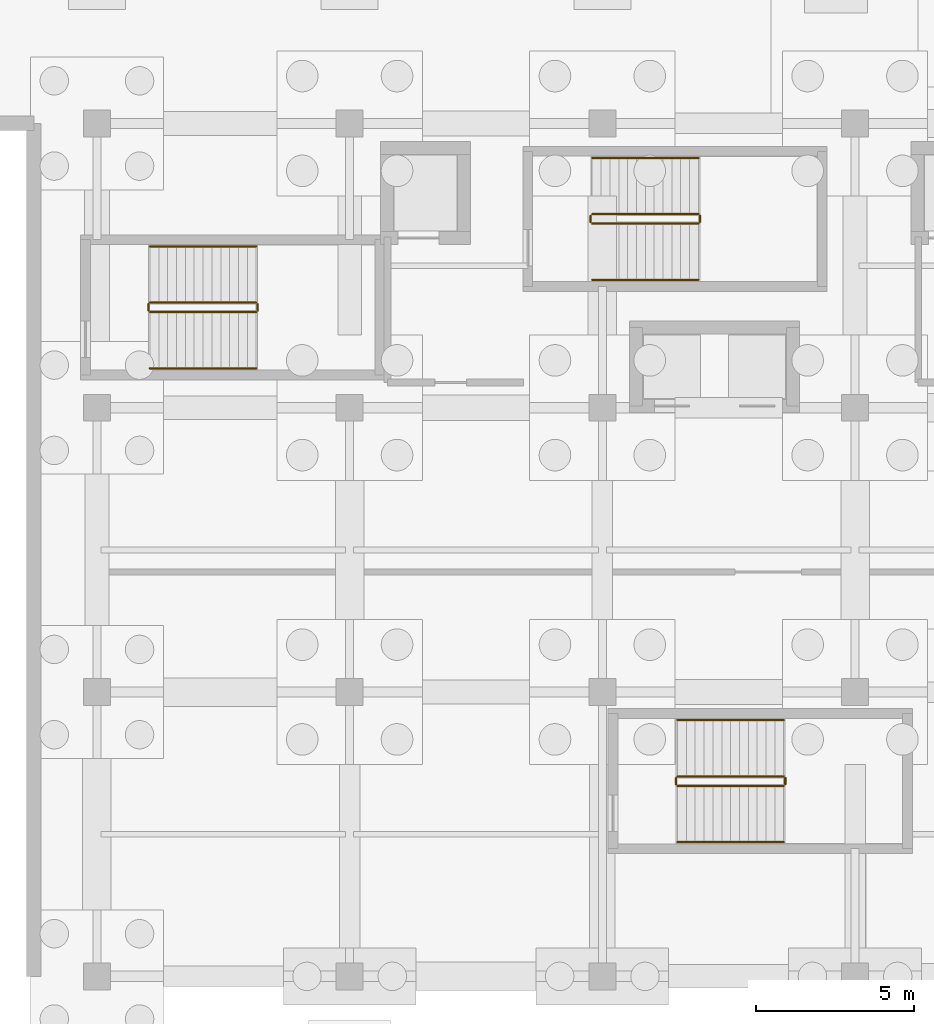
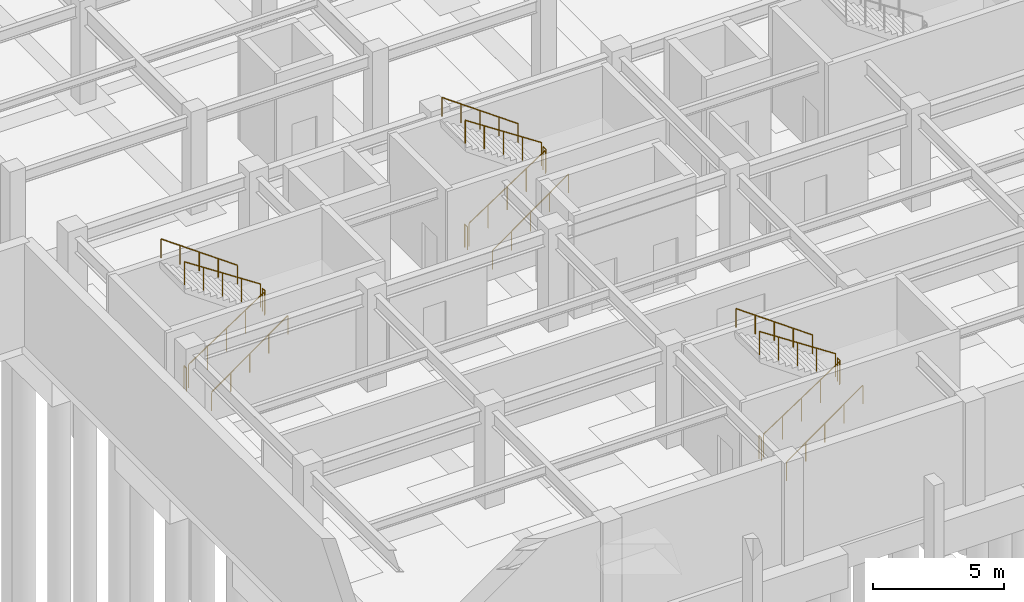
# One storey, part 39 of 48: 18 railings.
"""IFC4 building model written with IfcOpenShell, lengths in metres."""

from ifc_helpers import new_model, si_unit, direction, frame, origin, origin_2d, place, context, subcontext, project, spatial, circle, extrude, material, type_object, element, save


model = new_model("IFC4")

# Units and contexts
model_context = context("Model", 3, precision=1e-05, world=origin(), true_north=direction((0.0, 1.0)))
body_context = subcontext(model_context, "Body", "Model", "MODEL_VIEW")
ifc_project = project(units=[si_unit("LENGTHUNIT", "METRE"), si_unit("AREAUNIT", "SQUARE_METRE"), si_unit("VOLUMEUNIT", "CUBIC_METRE"), si_unit("PLANEANGLEUNIT", "RADIAN"), si_unit("MASSUNIT", "GRAM", prefix="KILO")], contexts=[model_context])

# Site, building, storey
site_placement = place(None, origin())
site = spatial("IfcSite", under=ifc_project, at=site_placement, CompositionType="ELEMENT")
building_placement = place(site_placement, origin())
building = spatial("IfcBuilding", under=site, at=building_placement, Name="Tlacozan Convention Centre", CompositionType="ELEMENT")
storey_placement = place(building_placement, frame((0.0, 0.0, -4.800048828125)))
storey = spatial("IfcBuildingStorey", under=building, at=storey_placement, Name="B01", CompositionType="ELEMENT", Elevation=-4.800048828125)

# Railings
ifc_material = material(Name="Architectural Painted Galvanised Steel Railing", Category="steel")
railing_type_1 = type_object("IfcRailingType", Name="Stair Wall Handrail 900", PredefinedType="HANDRAIL", material=ifc_material)
railing_1_placement = place(storey_placement, frame((23.679931640625, 22.050048828125, 0.1845703125)))
element("IfcRailing", 1, at=railing_1_placement, inside=storey, type_object=railing_type_1, Name="B01 ST-01 stair handrail 1", PredefinedType="HANDRAIL", context=body_context, shape_type="SweptSolid", body=[
    extrude(circle(Radius=0.02392578125, at=origin_2d()), frame((0.0, 0.0, 0.8759765625), z_axis=(0.813725481382, 0.0, 0.581249379312), x_axis=(0.0, 1.0, 0.0)), (0.0, 0.0, 1.0), 4.12939453125),
    extrude(circle(Radius=0.02099609375, at=origin_2d()), origin(), (0.0, 0.0, 1.0), 0.851806640625),
    extrude(circle(Radius=0.02099609375, at=origin_2d()), frame((0.840087890625, 0.0, 0.60009765625)), (0.0, 0.0, 1.0), 0.851806640625),
    extrude(circle(Radius=0.02099609375, at=origin_2d()), frame((1.68017578125, 0.0, 1.2001953125)), (0.0, 0.0, 1.0), 0.851806640625),
    extrude(circle(Radius=0.02099609375, at=origin_2d()), frame((2.52001953125, 0.0, 1.800048828125)), (0.0, 0.0, 1.0), 0.851806640625),
    extrude(circle(Radius=0.02099609375, at=origin_2d()), frame((3.360107421875, 0.0, 2.400146484375)), (0.0, 0.0, 1.0), 0.851806640625),
])
railing_2_placement = place(storey_placement, frame((27.0400390625, 25.909912109375, 2.584716796875)))
element("IfcRailing", 2, at=railing_2_placement, inside=storey, type_object=railing_type_1, Name="B01 ST-01 stair handrail 2", PredefinedType="HANDRAIL", context=body_context, shape_type="SweptSolid", body=[
    extrude(circle(Radius=0.02392578125, at=origin_2d()), frame((0.0, 0.0, 0.8759765625), z_axis=(-0.813753445783, 0.0, 0.581210228297), x_axis=(0.0, -1.0, 0.0)), (0.0, 0.0, 1.0), 4.129150390625),
    extrude(circle(Radius=0.02099609375, at=origin_2d()), origin(), (0.0, 0.0, 1.0), 0.851806640625),
    extrude(circle(Radius=0.02099609375, at=origin_2d()), frame((-0.840087890625, 0.0, 0.60009765625)), (0.0, 0.0, 1.0), 0.851806640625),
    extrude(circle(Radius=0.02099609375, at=origin_2d()), frame((-1.68017578125, 0.0, 1.199951171875)), (0.0, 0.0, 1.0), 0.851806640625),
    extrude(circle(Radius=0.02099609375, at=origin_2d()), frame((-2.52001953125, 0.0, 1.7998046875)), (0.0, 0.0, 1.0), 0.851806640625),
    extrude(circle(Radius=0.02099609375, at=origin_2d()), frame((-3.360107421875, 0.0, 2.39990234375)), (0.0, 0.0, 1.0), 0.851806640625),
])
railing_3_placement = place(storey_placement, frame((9.679931640625, 19.25, 0.1845703125)))
element("IfcRailing", 3, at=railing_3_placement, inside=storey, type_object=railing_type_1, Name="B01 ST-13 stair handrail 1", PredefinedType="HANDRAIL", context=body_context, shape_type="SweptSolid", body=[
    extrude(circle(Radius=0.02392578125, at=origin_2d()), frame((0.0, 0.0, 0.8759765625), z_axis=(0.813725481382, 0.0, 0.581249379312), x_axis=(0.0, 1.0, 0.0)), (0.0, 0.0, 1.0), 4.12939453125),
    extrude(circle(Radius=0.02099609375, at=origin_2d()), origin(), (0.0, 0.0, 1.0), 0.851806640625),
    extrude(circle(Radius=0.02099609375, at=origin_2d()), frame((0.840087890625, 0.0, 0.60009765625)), (0.0, 0.0, 1.0), 0.851806640625),
    extrude(circle(Radius=0.02099609375, at=origin_2d()), frame((1.68017578125, 0.0, 1.2001953125)), (0.0, 0.0, 1.0), 0.851806640625),
    extrude(circle(Radius=0.02099609375, at=origin_2d()), frame((2.52001953125, 0.0, 1.800048828125)), (0.0, 0.0, 1.0), 0.851806640625),
    extrude(circle(Radius=0.02099609375, at=origin_2d()), frame((3.360107421875, 0.0, 2.400146484375)), (0.0, 0.0, 1.0), 0.851806640625),
])
railing_4_placement = place(storey_placement, frame((13.0400390625, 23.110107421875, 2.584716796875)))
element("IfcRailing", 4, at=railing_4_placement, inside=storey, type_object=railing_type_1, Name="B01 ST-13 stair handrail 2", PredefinedType="HANDRAIL", context=body_context, shape_type="SweptSolid", body=[
    extrude(circle(Radius=0.02392578125, at=origin_2d()), frame((0.0, 0.0, 0.8759765625), z_axis=(-0.813753445783, 0.0, 0.581210228297), x_axis=(0.0, -1.0, 0.0)), (0.0, 0.0, 1.0), 4.129150390625),
    extrude(circle(Radius=0.02099609375, at=origin_2d()), origin(), (0.0, 0.0, 1.0), 0.851806640625),
    extrude(circle(Radius=0.02099609375, at=origin_2d()), frame((-0.840087890625, 0.0, 0.60009765625)), (0.0, 0.0, 1.0), 0.851806640625),
    extrude(circle(Radius=0.02099609375, at=origin_2d()), frame((-1.68017578125, 0.0, 1.199951171875)), (0.0, 0.0, 1.0), 0.851806640625),
    extrude(circle(Radius=0.02099609375, at=origin_2d()), frame((-2.52001953125, 0.0, 1.7998046875)), (0.0, 0.0, 1.0), 0.851806640625),
    extrude(circle(Radius=0.02099609375, at=origin_2d()), frame((-3.360107421875, 0.0, 2.39990234375)), (0.0, 0.0, 1.0), 0.851806640625),
])
railing_5_placement = place(storey_placement, frame((26.3798828125, 4.25, 0.1845703125)))
element("IfcRailing", 5, at=railing_5_placement, inside=storey, type_object=railing_type_1, Name="B01 ST-16 stair handrail 1", PredefinedType="HANDRAIL", context=body_context, shape_type="SweptSolid", body=[
    extrude(circle(Radius=0.02392578125, at=origin_2d()), frame((0.0, 0.0, 0.8759765625), z_axis=(0.813725481382, 0.0, 0.581249379312), x_axis=(0.0, 1.0, 0.0)), (0.0, 0.0, 1.0), 4.12939453125),
    extrude(circle(Radius=0.02099609375, at=origin_2d()), origin(), (0.0, 0.0, 1.0), 0.851806640625),
    extrude(circle(Radius=0.02099609375, at=origin_2d()), frame((0.840087890625, 0.0, 0.60009765625)), (0.0, 0.0, 1.0), 0.851806640625),
    extrude(circle(Radius=0.02099609375, at=origin_2d()), frame((1.68017578125, 0.0, 1.2001953125)), (0.0, 0.0, 1.0), 0.851806640625),
    extrude(circle(Radius=0.02099609375, at=origin_2d()), frame((2.52001953125, 0.0, 1.800048828125)), (0.0, 0.0, 1.0), 0.851806640625),
    extrude(circle(Radius=0.02099609375, at=origin_2d()), frame((3.360107421875, 0.0, 2.400146484375)), (0.0, 0.0, 1.0), 0.851806640625),
])
railing_6_placement = place(storey_placement, frame((29.739990234375, 8.110107421875, 2.584716796875)))
element("IfcRailing", 6, at=railing_6_placement, inside=storey, type_object=railing_type_1, Name="B01 ST-16 stair handrail 2", PredefinedType="HANDRAIL", context=body_context, shape_type="SweptSolid", body=[
    extrude(circle(Radius=0.02392578125, at=origin_2d()), frame((0.0, 0.0, 0.8759765625), z_axis=(-0.813753445783, 0.0, 0.581210228297), x_axis=(0.0, -1.0, 0.0)), (0.0, 0.0, 1.0), 4.129150390625),
    extrude(circle(Radius=0.02099609375, at=origin_2d()), origin(), (0.0, 0.0, 1.0), 0.851806640625),
    extrude(circle(Radius=0.02099609375, at=origin_2d()), frame((-0.840087890625, 0.0, 0.60009765625)), (0.0, 0.0, 1.0), 0.851806640625),
    extrude(circle(Radius=0.02099609375, at=origin_2d()), frame((-1.68017578125, 0.0, 1.199951171875)), (0.0, 0.0, 1.0), 0.851806640625),
    extrude(circle(Radius=0.02099609375, at=origin_2d()), frame((-2.52001953125, 0.0, 1.7998046875)), (0.0, 0.0, 1.0), 0.851806640625),
    extrude(circle(Radius=0.02099609375, at=origin_2d()), frame((-3.360107421875, 0.0, 2.39990234375)), (0.0, 0.0, 1.0), 0.851806640625),
])
railing_type_2 = type_object("IfcRailingType", Name="Stair Well Guardrail 1100", PredefinedType="GUARDRAIL", material=ifc_material)
railing_7_placement = place(storey_placement, frame((23.679931640625, 23.830078125, 0.1845703125)))
element("IfcRailing", 7, at=railing_7_placement, inside=storey, type_object=railing_type_2, Name="B01 ST-01 stair guard 1", PredefinedType="GUARDRAIL", context=body_context, shape_type="SweptSolid", body=[
    extrude(circle(Radius=0.02392578125, at=origin_2d()), frame((0.0, 0.0, 1.076171875), z_axis=(0.834848600103, 0.0, 0.550479622607), x_axis=(0.0, 1.0, 0.0)), (0.0, 0.0, 1.0), 4.02490234375),
    extrude(circle(Radius=0.02099609375, at=origin_2d()), origin(), (0.0, 0.0, 1.0), 1.052001953125),
    extrude(circle(Radius=0.02099609375, at=origin_2d()), frame((0.840087890625, 0.0, 0.553955078125)), (0.0, 0.0, 1.0), 1.052001953125),
    extrude(circle(Radius=0.02099609375, at=origin_2d()), frame((1.68017578125, 0.0, 1.10791015625)), (0.0, 0.0, 1.0), 1.052001953125),
    extrude(circle(Radius=0.02099609375, at=origin_2d()), frame((2.52001953125, 0.0, 1.66162109375)), (0.0, 0.0, 1.0), 1.052001953125),
    extrude(circle(Radius=0.02099609375, at=origin_2d()), frame((3.360107421875, 0.0, 2.215576171875)), (0.0, 0.0, 1.0), 1.052001953125),
])
railing_8_placement = place(storey_placement, frame((27.090087890625, 23.8798828125, 2.400146484375)))
element("IfcRailing", 8, at=railing_8_placement, inside=storey, type_object=railing_type_2, Name="B01 ST-01 stair guard 2", PredefinedType="GUARDRAIL", context=body_context, shape_type="SweptSolid", body=[
    extrude(circle(Radius=0.02392578125, at=origin_2d()), frame((0.0, 0.0, 1.076171875), z_axis=(0.0, 1.0, 0.0), x_axis=(-1.0, 0.0, 0.0)), (0.0, 0.0, 1.0), 0.2001953125),
    extrude(circle(Radius=0.02099609375, at=origin_2d()), origin(), (0.0, 0.0, 1.0), 1.052001953125),
    extrude(circle(Radius=0.02099609375, at=origin_2d()), frame((0.0, 0.2001953125, 0.0)), (0.0, 0.0, 1.0), 1.052001953125),
])
railing_9_placement = place(storey_placement, frame((27.0400390625, 24.1298828125, 2.584716796875)))
element("IfcRailing", 9, at=railing_9_placement, inside=storey, type_object=railing_type_2, Name="B01 ST-01 stair guard 3", PredefinedType="GUARDRAIL", context=body_context, shape_type="SweptSolid", body=[
    extrude(circle(Radius=0.02392578125, at=origin_2d()), frame((0.0, 0.0, 1.076171875), z_axis=(-0.834876476806, 0.0, 0.550437342915), x_axis=(0.0, -1.0, 0.0)), (0.0, 0.0, 1.0), 4.024658203125),
    extrude(circle(Radius=0.02099609375, at=origin_2d()), origin(), (0.0, 0.0, 1.0), 1.052001953125),
    extrude(circle(Radius=0.02099609375, at=origin_2d()), frame((-0.840087890625, 0.0, 0.5537109375)), (0.0, 0.0, 1.0), 1.052001953125),
    extrude(circle(Radius=0.02099609375, at=origin_2d()), frame((-1.68017578125, 0.0, 1.107666015625)), (0.0, 0.0, 1.0), 1.052001953125),
    extrude(circle(Radius=0.02099609375, at=origin_2d()), frame((-2.52001953125, 0.0, 1.66162109375)), (0.0, 0.0, 1.0), 1.052001953125),
    extrude(circle(Radius=0.02099609375, at=origin_2d()), frame((-3.360107421875, 0.0, 2.21533203125)), (0.0, 0.0, 1.0), 1.052001953125),
])
railing_10_placement = place(storey_placement, frame((23.6298828125, 23.8798828125, 0.0)))
element("IfcRailing", 10, at=railing_10_placement, inside=storey, type_object=railing_type_2, Name="B01 ST-01 stair guard 4", PredefinedType="GUARDRAIL", context=body_context, shape_type="SweptSolid", body=[
    extrude(circle(Radius=0.02392578125, at=origin_2d()), frame((0.0, 0.0, 1.076171875), z_axis=(0.0, 1.0, 0.0), x_axis=(-1.0, 0.0, 0.0)), (0.0, 0.0, 1.0), 0.2001953125),
    extrude(circle(Radius=0.02099609375, at=origin_2d()), origin(), (0.0, 0.0, 1.0), 1.052001953125),
    extrude(circle(Radius=0.02099609375, at=origin_2d()), frame((0.0, 0.2001953125, 0.0)), (0.0, 0.0, 1.0), 1.052001953125),
])
railing_11_placement = place(storey_placement, frame((9.679931640625, 21.030029296875, 0.1845703125)))
element("IfcRailing", 11, at=railing_11_placement, inside=storey, type_object=railing_type_2, Name="B01 ST-13 stair guard 1", PredefinedType="GUARDRAIL", context=body_context, shape_type="SweptSolid", body=[
    extrude(circle(Radius=0.02392578125, at=origin_2d()), frame((0.0, 0.0, 1.076171875), z_axis=(0.834848600103, 0.0, 0.550479622607), x_axis=(0.0, 1.0, 0.0)), (0.0, 0.0, 1.0), 4.02490234375),
    extrude(circle(Radius=0.02099609375, at=origin_2d()), origin(), (0.0, 0.0, 1.0), 1.052001953125),
    extrude(circle(Radius=0.02099609375, at=origin_2d()), frame((0.840087890625, 0.0, 0.553955078125)), (0.0, 0.0, 1.0), 1.052001953125),
    extrude(circle(Radius=0.02099609375, at=origin_2d()), frame((1.68017578125, 0.0, 1.10791015625)), (0.0, 0.0, 1.0), 1.052001953125),
    extrude(circle(Radius=0.02099609375, at=origin_2d()), frame((2.52001953125, 0.0, 1.66162109375)), (0.0, 0.0, 1.0), 1.052001953125),
    extrude(circle(Radius=0.02099609375, at=origin_2d()), frame((3.360107421875, 0.0, 2.215576171875)), (0.0, 0.0, 1.0), 1.052001953125),
])
railing_12_placement = place(storey_placement, frame((13.090087890625, 21.080078125, 2.400146484375)))
element("IfcRailing", 12, at=railing_12_placement, inside=storey, type_object=railing_type_2, Name="B01 ST-13 stair guard 2", PredefinedType="GUARDRAIL", context=body_context, shape_type="SweptSolid", body=[
    extrude(circle(Radius=0.02392578125, at=origin_2d()), frame((0.0, 0.0, 1.076171875), z_axis=(0.0, 1.0, 0.0), x_axis=(-1.0, 0.0, 0.0)), (0.0, 0.0, 1.0), 0.199951171875),
    extrude(circle(Radius=0.02099609375, at=origin_2d()), origin(), (0.0, 0.0, 1.0), 1.052001953125),
    extrude(circle(Radius=0.02099609375, at=origin_2d()), frame((0.0, 0.199951171875, 0.0)), (0.0, 0.0, 1.0), 1.052001953125),
])
railing_13_placement = place(storey_placement, frame((13.0400390625, 21.330078125, 2.584716796875)))
element("IfcRailing", 13, at=railing_13_placement, inside=storey, type_object=railing_type_2, Name="B01 ST-13 stair guard 3", PredefinedType="GUARDRAIL", context=body_context, shape_type="SweptSolid", body=[
    extrude(circle(Radius=0.02392578125, at=origin_2d()), frame((0.0, 0.0, 1.076171875), z_axis=(-0.834876476806, 0.0, 0.550437342915), x_axis=(0.0, -1.0, 0.0)), (0.0, 0.0, 1.0), 4.024658203125),
    extrude(circle(Radius=0.02099609375, at=origin_2d()), origin(), (0.0, 0.0, 1.0), 1.052001953125),
    extrude(circle(Radius=0.02099609375, at=origin_2d()), frame((-0.840087890625, 0.0, 0.5537109375)), (0.0, 0.0, 1.0), 1.052001953125),
    extrude(circle(Radius=0.02099609375, at=origin_2d()), frame((-1.68017578125, 0.0, 1.107666015625)), (0.0, 0.0, 1.0), 1.052001953125),
    extrude(circle(Radius=0.02099609375, at=origin_2d()), frame((-2.52001953125, 0.0, 1.66162109375)), (0.0, 0.0, 1.0), 1.052001953125),
    extrude(circle(Radius=0.02099609375, at=origin_2d()), frame((-3.360107421875, 0.0, 2.21533203125)), (0.0, 0.0, 1.0), 1.052001953125),
])
railing_14_placement = place(storey_placement, frame((9.6298828125, 21.080078125, 0.0)))
element("IfcRailing", 14, at=railing_14_placement, inside=storey, type_object=railing_type_2, Name="B01 ST-13 stair guard 4", PredefinedType="GUARDRAIL", context=body_context, shape_type="SweptSolid", body=[
    extrude(circle(Radius=0.02392578125, at=origin_2d()), frame((0.0, 0.0, 1.076171875), z_axis=(0.0, 1.0, 0.0), x_axis=(-1.0, 0.0, 0.0)), (0.0, 0.0, 1.0), 0.199951171875),
    extrude(circle(Radius=0.02099609375, at=origin_2d()), origin(), (0.0, 0.0, 1.0), 1.052001953125),
    extrude(circle(Radius=0.02099609375, at=origin_2d()), frame((0.0, 0.199951171875, 0.0)), (0.0, 0.0, 1.0), 1.052001953125),
])
railing_15_placement = place(storey_placement, frame((26.3798828125, 6.030029296875, 0.1845703125)))
element("IfcRailing", 15, at=railing_15_placement, inside=storey, type_object=railing_type_2, Name="B01 ST-16 stair guard 1", PredefinedType="GUARDRAIL", context=body_context, shape_type="SweptSolid", body=[
    extrude(circle(Radius=0.02392578125, at=origin_2d()), frame((0.0, 0.0, 1.076171875), z_axis=(0.834848600103, 0.0, 0.550479622607), x_axis=(0.0, 1.0, 0.0)), (0.0, 0.0, 1.0), 4.02490234375),
    extrude(circle(Radius=0.02099609375, at=origin_2d()), origin(), (0.0, 0.0, 1.0), 1.052001953125),
    extrude(circle(Radius=0.02099609375, at=origin_2d()), frame((0.840087890625, 0.0, 0.553955078125)), (0.0, 0.0, 1.0), 1.052001953125),
    extrude(circle(Radius=0.02099609375, at=origin_2d()), frame((1.68017578125, 0.0, 1.10791015625)), (0.0, 0.0, 1.0), 1.052001953125),
    extrude(circle(Radius=0.02099609375, at=origin_2d()), frame((2.52001953125, 0.0, 1.66162109375)), (0.0, 0.0, 1.0), 1.052001953125),
    extrude(circle(Radius=0.02099609375, at=origin_2d()), frame((3.360107421875, 0.0, 2.215576171875)), (0.0, 0.0, 1.0), 1.052001953125),
])
railing_16_placement = place(storey_placement, frame((29.7900390625, 6.080078125, 2.400146484375)))
element("IfcRailing", 16, at=railing_16_placement, inside=storey, type_object=railing_type_2, Name="B01 ST-16 stair guard 2", PredefinedType="GUARDRAIL", context=body_context, shape_type="SweptSolid", body=[
    extrude(circle(Radius=0.02392578125, at=origin_2d()), frame((0.0, 0.0, 1.076171875), z_axis=(0.0, 1.0, 0.0), x_axis=(-1.0, 0.0, 0.0)), (0.0, 0.0, 1.0), 0.199951171875),
    extrude(circle(Radius=0.02099609375, at=origin_2d()), origin(), (0.0, 0.0, 1.0), 1.052001953125),
    extrude(circle(Radius=0.02099609375, at=origin_2d()), frame((0.0, 0.199951171875, 0.0)), (0.0, 0.0, 1.0), 1.052001953125),
])
railing_17_placement = place(storey_placement, frame((29.739990234375, 6.330078125, 2.584716796875)))
element("IfcRailing", 17, at=railing_17_placement, inside=storey, type_object=railing_type_2, Name="B01 ST-16 stair guard 3", PredefinedType="GUARDRAIL", context=body_context, shape_type="SweptSolid", body=[
    extrude(circle(Radius=0.02392578125, at=origin_2d()), frame((0.0, 0.0, 1.076171875), z_axis=(-0.834876476806, 0.0, 0.550437342915), x_axis=(0.0, -1.0, 0.0)), (0.0, 0.0, 1.0), 4.024658203125),
    extrude(circle(Radius=0.02099609375, at=origin_2d()), origin(), (0.0, 0.0, 1.0), 1.052001953125),
    extrude(circle(Radius=0.02099609375, at=origin_2d()), frame((-0.840087890625, 0.0, 0.5537109375)), (0.0, 0.0, 1.0), 1.052001953125),
    extrude(circle(Radius=0.02099609375, at=origin_2d()), frame((-1.68017578125, 0.0, 1.107666015625)), (0.0, 0.0, 1.0), 1.052001953125),
    extrude(circle(Radius=0.02099609375, at=origin_2d()), frame((-2.52001953125, 0.0, 1.66162109375)), (0.0, 0.0, 1.0), 1.052001953125),
    extrude(circle(Radius=0.02099609375, at=origin_2d()), frame((-3.360107421875, 0.0, 2.21533203125)), (0.0, 0.0, 1.0), 1.052001953125),
])
railing_18_placement = place(storey_placement, frame((26.330078125, 6.080078125, 0.0)))
element("IfcRailing", 18, at=railing_18_placement, inside=storey, type_object=railing_type_2, Name="B01 ST-16 stair guard 4", PredefinedType="GUARDRAIL", context=body_context, shape_type="SweptSolid", body=[
    extrude(circle(Radius=0.02392578125, at=origin_2d()), frame((0.0, 0.0, 1.076171875), z_axis=(0.0, 1.0, 0.0), x_axis=(-1.0, 0.0, 0.0)), (0.0, 0.0, 1.0), 0.199951171875),
    extrude(circle(Radius=0.02099609375, at=origin_2d()), origin(), (0.0, 0.0, 1.0), 1.052001953125),
    extrude(circle(Radius=0.02099609375, at=origin_2d()), frame((0.0, 0.199951171875, 0.0)), (0.0, 0.0, 1.0), 1.052001953125),
])

save(model, "model.ifc")
